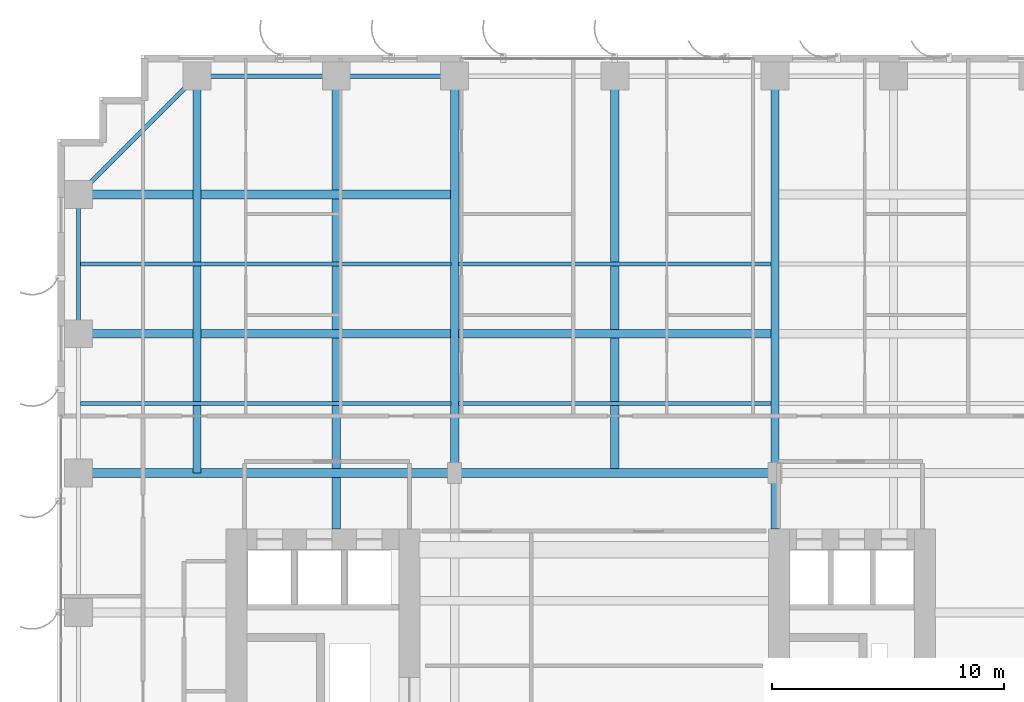
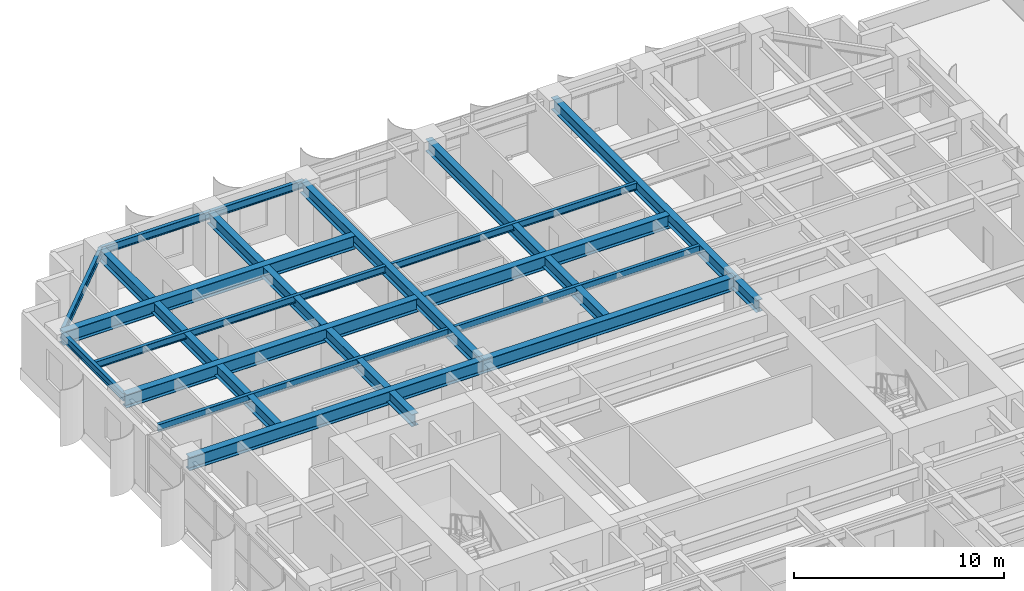
# One storey, part 6 of 21: 18 beams.
"""IFC4 building model written with IfcOpenShell, lengths in metres."""

from ifc_helpers import new_model, si_unit, direction, frame, origin, origin_2d, place, context, subcontext, project, spatial, i_section, extrude, source, transform, mapped, material, material_profile, profile_set, type_object, element, save


model = new_model("IFC4")

# Units and contexts
model_context = context("Model", 3, precision=1e-05, world=origin(), true_north=direction((0.0, 1.0)))
body_context = subcontext(model_context, "Body", "Model", "MODEL_VIEW")
ifc_project = project(units=[si_unit("LENGTHUNIT", "METRE"), si_unit("AREAUNIT", "SQUARE_METRE"), si_unit("VOLUMEUNIT", "CUBIC_METRE"), si_unit("PLANEANGLEUNIT", "RADIAN"), si_unit("MASSUNIT", "GRAM", prefix="KILO")], contexts=[model_context])

# Site, building, storey
site_placement = place(None, origin())
site = spatial("IfcSite", under=ifc_project, at=site_placement, CompositionType="ELEMENT")
building_placement = place(site_placement, origin())
building = spatial("IfcBuilding", under=site, at=building_placement, Name="Khoralis Quay Care Tower", CompositionType="ELEMENT")
storey_placement = place(building_placement, frame((0.0, 0.0, 22.5)))
storey = spatial("IfcBuildingStorey", under=building, at=storey_placement, Name="L05", CompositionType="ELEMENT", Elevation=22.5)

# Beams
ifc_material = material(Name="Steel S355", Category="steel")
ifc_material_profile_1 = material_profile(ifc_material, i_section(OverallWidth=0.18994140625, OverallDepth=0.449951171875, WebThickness=0.009521484375, FlangeThickness=0.0146484375, FilletRadius=0.02099609375, at=origin_2d()), Name="Steel S355")
ifc_profile_set_1 = profile_set([ifc_material_profile_1], Name="Steel S355")
beam_type_1 = type_object("IfcBeamType", Name="BM-IPE450", PredefinedType="SPANDREL", material=ifc_profile_set_1)
shared_shape_1 = source(origin(), body_context, "Body", "SweptSolid", [
    extrude(i_section(OverallWidth=0.18994140625, OverallDepth=0.449951171875, WebThickness=0.009521484375, FlangeThickness=0.0146484375, FilletRadius=0.02099609375, at=origin_2d()), origin(), (0.0, 0.0, 1.0), 6.0),
])
for number, where, z_axis, x_axis, name in (
    (1, (6.0, 47.10009765625, 3.094970703125), (1.0, 0.0, 0.0), (0.0, 1.0, 0.0), "BM-TSP-L05-07"),
    (2, (0.89990234375, 36.0, 3.094970703125), (0.0, 1.0, 0.0), (-1.0, 0.0, 0.0), "BM-TSP-L05-18"),
):
    element("IfcBeam", number, at=place(storey_placement, frame(where, z_axis=z_axis, x_axis=x_axis)), inside=storey, type_object=beam_type_1, Name=name, PredefinedType="SPANDREL", context=body_context, shape_type="MappedRepresentation", body=[
        mapped(shared_shape_1, transform((0.0, 0.0, 0.0), scale=1.0)),
    ])
shared_shape_2 = source(origin(), body_context, "Body", "SweptSolid", [
    extrude(i_section(OverallWidth=0.18994140625, OverallDepth=0.449951171875, WebThickness=0.009521484375, FlangeThickness=0.0146484375, FilletRadius=0.02099609375, at=origin_2d()), origin(), (0.0, 0.0, 1.0), 5.10009765625),
])
beam_1_placement = place(storey_placement, frame((12.0, 47.10009765625, 3.094970703125), z_axis=(1.0, 0.0, 0.0), x_axis=(0.0, 1.0, 0.0)))
element("IfcBeam", 3, at=beam_1_placement, inside=storey, type_object=beam_type_1, Name="BM-TSP-L05-08", PredefinedType="SPANDREL", context=body_context, shape_type="MappedRepresentation", body=[
    mapped(shared_shape_2, transform((0.0, 0.0, 0.0), scale=1.0)),
])
shared_shape_3 = source(origin(), body_context, "Body", "SweptSolid", [
    extrude(i_section(OverallWidth=0.18994140625, OverallDepth=0.449951171875, WebThickness=0.009521484375, FlangeThickness=0.0146484375, FilletRadius=0.02099609375, at=origin_2d()), origin(), (0.0, 0.0, 1.0), 7.212646484375),
])
beam_2_placement = place(storey_placement, frame((6.0, 47.10009765625, 3.094970703125), z_axis=(-0.707106781187, -0.707106781187, 0.0), x_axis=(0.707106781187, -0.707106781187, 0.0)))
element("IfcBeam", 4, at=beam_2_placement, inside=storey, type_object=beam_type_1, Name="BM-TCR-L05-27", PredefinedType="SPANDREL", context=body_context, shape_type="MappedRepresentation", body=[
    mapped(shared_shape_3, transform((0.0, 0.0, 0.0), scale=1.0)),
])
ifc_material_profile_2 = material_profile(ifc_material, i_section(OverallWidth=0.381103515625, OverallDepth=0.77294921875, WebThickness=0.0166015625, FlangeThickness=0.027587890625, FilletRadius=0.02197265625, at=origin_2d()), Name="Steel S355")
ifc_profile_set_2 = profile_set([ifc_material_profile_2], Name="Steel S355")
beam_type_2 = type_object("IfcBeamType", Name="BM-W760X257", PredefinedType="BEAM", material=ifc_profile_set_2)
shared_shape_4 = source(origin(), body_context, "Body", "SweptSolid", [
    extrude(i_section(OverallWidth=0.381103515625, OverallDepth=0.77294921875, WebThickness=0.0166015625, FlangeThickness=0.027587890625, FilletRadius=0.02197265625, at=origin_2d()), origin(), (0.0, 0.0, 1.0), 16.03466796875),
])
for number, where, z_axis, x_axis, name in (
    (5, (0.89990234375, 36.0, 2.93359375), (1.0, 0.0, 0.0), (0.0, 1.0, 0.0), "BM-TGXW-L05-360"),
    (6, (0.89990234375, 42.0, 2.93359375), (1.0, 0.0, 0.0), (0.0, 1.0, 0.0), "BM-TGXW-L05-420"),
):
    element("IfcBeam", number, at=place(storey_placement, frame(where, z_axis=z_axis, x_axis=x_axis)), inside=storey, type_object=beam_type_2, Name=name, PredefinedType="BEAM", context=body_context, shape_type="MappedRepresentation", body=[
        mapped(shared_shape_4, transform((0.0, 0.0, 0.0), scale=1.0)),
    ])
shared_shape_5 = source(origin(), body_context, "Body", "SweptSolid", [
    extrude(i_section(OverallWidth=0.381103515625, OverallDepth=0.77294921875, WebThickness=0.0166015625, FlangeThickness=0.027587890625, FilletRadius=0.02197265625, at=origin_2d()), origin(), (0.0, 0.0, 1.0), 16.2001953125),
])
beam_3_placement = place(storey_placement, frame((0.89990234375, 30.0, 2.93359375), z_axis=(1.0, 0.0, 0.0), x_axis=(0.0, 1.0, 0.0)))
element("IfcBeam", 7, at=beam_3_placement, inside=storey, type_object=beam_type_2, Name="BM-TGXW-L05-300", PredefinedType="BEAM", context=body_context, shape_type="MappedRepresentation", body=[
    mapped(shared_shape_5, transform((0.0, 0.0, 0.0), scale=1.0)),
])
shared_shape_6 = source(origin(), body_context, "Body", "SweptSolid", [
    extrude(i_section(OverallWidth=0.381103515625, OverallDepth=0.77294921875, WebThickness=0.0166015625, FlangeThickness=0.027587890625, FilletRadius=0.02197265625, at=origin_2d()), origin(), (0.0, 0.0, 1.0), 13.7998046875),
])
beam_4_placement = place(storey_placement, frame((17.10009765625, 30.0, 2.93359375), z_axis=(1.0, 0.0, 0.0), x_axis=(0.0, 1.0, 0.0)))
element("IfcBeam", 8, at=beam_4_placement, inside=storey, type_object=beam_type_2, Name="BM-TGCC-L05-300", PredefinedType="BEAM", context=body_context, shape_type="MappedRepresentation", body=[
    mapped(shared_shape_6, transform((0.0, 0.0, 0.0), scale=1.0)),
])
shared_shape_7 = source(origin(), body_context, "Body", "SweptSolid", [
    extrude(i_section(OverallWidth=0.381103515625, OverallDepth=0.77294921875, WebThickness=0.0166015625, FlangeThickness=0.027587890625, FilletRadius=0.02197265625, at=origin_2d()), origin(), (0.0, 0.0, 1.0), 13.46923828125),
])
beam_5_placement = place(storey_placement, frame((17.265380859375, 36.0, 2.93359375), z_axis=(1.0, 0.0, 0.0), x_axis=(0.0, 1.0, 0.0)))
element("IfcBeam", 9, at=beam_5_placement, inside=storey, type_object=beam_type_2, Name="BM-TGCC-L05-360", PredefinedType="BEAM", context=body_context, shape_type="MappedRepresentation", body=[
    mapped(shared_shape_7, transform((0.0, 0.0, 0.0), scale=1.0)),
])
ifc_material_profile_3 = material_profile(ifc_material, i_section(OverallWidth=0.35498046875, OverallDepth=0.695068359375, WebThickness=0.015380859375, FlangeThickness=0.02490234375, FilletRadius=0.02001953125, at=origin_2d()), Name="Steel S355")
ifc_profile_set_3 = profile_set([ifc_material_profile_3], Name="Steel S355")
beam_type_3 = type_object("IfcBeamType", Name="BM-W690X217", PredefinedType="BEAM", material=ifc_profile_set_3)
shared_shape_8 = source(origin(), body_context, "Body", "SweptSolid", [
    extrude(i_section(OverallWidth=0.35498046875, OverallDepth=0.695068359375, WebThickness=0.015380859375, FlangeThickness=0.02490234375, FilletRadius=0.02001953125, at=origin_2d()), origin(), (0.0, 0.0, 1.0), 17.10009765625),
])
for number, where, z_axis, x_axis, name in (
    (10, (6.0, 30.0, 2.972412109375), (0.0, 1.0, 0.0), (-1.0, 0.0, 0.0), "BM-TGYN-L05-60"),
    (11, (17.10009765625, 30.0, 2.972412109375), (0.0, 1.0, 0.0), (-1.0, 0.0, 0.0), "BM-TGYN-L05-171"),
    (12, (24.0, 30.0, 2.972412109375), (0.0, 1.0, 0.0), (-1.0, 0.0, 0.0), "BM-TGYN-L05-240"),
):
    element("IfcBeam", number, at=place(storey_placement, frame(where, z_axis=z_axis, x_axis=x_axis)), inside=storey, type_object=beam_type_3, Name=name, PredefinedType="BEAM", context=body_context, shape_type="MappedRepresentation", body=[
        mapped(shared_shape_8, transform((0.0, 0.0, 0.0), scale=1.0)),
    ])
shared_shape_9 = source(origin(), body_context, "Body", "SweptSolid", [
    extrude(i_section(OverallWidth=0.35498046875, OverallDepth=0.695068359375, WebThickness=0.015380859375, FlangeThickness=0.02490234375, FilletRadius=0.02001953125, at=origin_2d()), origin(), (0.0, 0.0, 1.0), 19.502197265625),
])
for number, where, z_axis, x_axis, name in (
    (13, (12.0, 27.597900390625, 2.972412109375), (0.0, 1.0, 0.0), (-1.0, 0.0, 0.0), "BM-TGYN-L05-120"),
    (14, (30.89990234375, 27.597900390625, 2.972412109375), (0.0, 1.0, 0.0), (-1.0, 0.0, 0.0), "BM-TGYN-L05-309"),
):
    element("IfcBeam", number, at=place(storey_placement, frame(where, z_axis=z_axis, x_axis=x_axis)), inside=storey, type_object=beam_type_3, Name=name, PredefinedType="BEAM", context=body_context, shape_type="MappedRepresentation", body=[
        mapped(shared_shape_9, transform((0.0, 0.0, 0.0), scale=1.0)),
    ])
ifc_material_profile_4 = material_profile(ifc_material, i_section(OverallWidth=0.177978515625, OverallDepth=0.406982421875, WebThickness=0.0078125, FlangeThickness=0.0126953125, FilletRadius=0.012939453125, at=origin_2d()), Name="Steel S355")
ifc_profile_set_4 = profile_set([ifc_material_profile_4], Name="Steel S355")
beam_type_4 = type_object("IfcBeamType", Name="BM-W410X60", PredefinedType="JOIST", material=ifc_profile_set_4)
shared_shape_10 = source(origin(), body_context, "Body", "SweptSolid", [
    extrude(i_section(OverallWidth=0.177978515625, OverallDepth=0.406982421875, WebThickness=0.0078125, FlangeThickness=0.0126953125, FilletRadius=0.012939453125, at=origin_2d()), origin(), (0.0, 0.0, 1.0), 15.95361328125),
])
for number, where, z_axis, x_axis, name in (
    (15, (0.98095703125, 33.0, 3.116455078125), (1.0, 0.0, 0.0), (0.0, 1.0, 0.0), "BM-TJS-L05-32"),
    (16, (0.98095703125, 39.0, 3.116455078125), (1.0, 0.0, 0.0), (0.0, 1.0, 0.0), "BM-TJS-L05-35"),
):
    element("IfcBeam", number, at=place(storey_placement, frame(where, z_axis=z_axis, x_axis=x_axis)), inside=storey, type_object=beam_type_4, Name=name, PredefinedType="JOIST", context=body_context, shape_type="MappedRepresentation", body=[
        mapped(shared_shape_10, transform((0.0, 0.0, 0.0), scale=1.0)),
    ])
shared_shape_11 = source(origin(), body_context, "Body", "SweptSolid", [
    extrude(i_section(OverallWidth=0.177978515625, OverallDepth=0.406982421875, WebThickness=0.0078125, FlangeThickness=0.0126953125, FilletRadius=0.012939453125, at=origin_2d()), origin(), (0.0, 0.0, 1.0), 13.46923828125),
])
for number, where, z_axis, x_axis, name in (
    (17, (17.265380859375, 33.0, 3.116455078125), (1.0, 0.0, 0.0), (0.0, 1.0, 0.0), "BM-TJS-L05-34"),
    (18, (17.265380859375, 39.0, 3.116455078125), (1.0, 0.0, 0.0), (0.0, 1.0, 0.0), "BM-TJS-L05-37"),
):
    element("IfcBeam", number, at=place(storey_placement, frame(where, z_axis=z_axis, x_axis=x_axis)), inside=storey, type_object=beam_type_4, Name=name, PredefinedType="JOIST", context=body_context, shape_type="MappedRepresentation", body=[
        mapped(shared_shape_11, transform((0.0, 0.0, 0.0), scale=1.0)),
    ])

save(model, "model.ifc")
